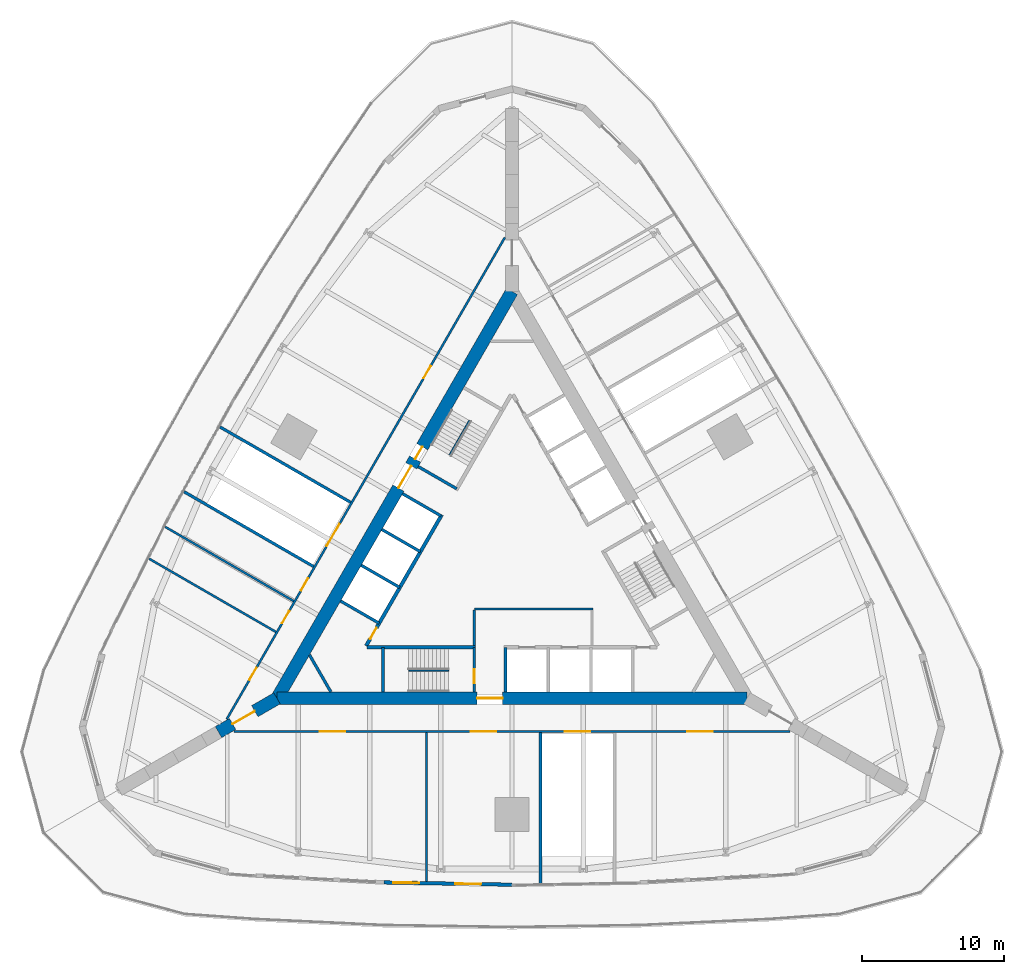
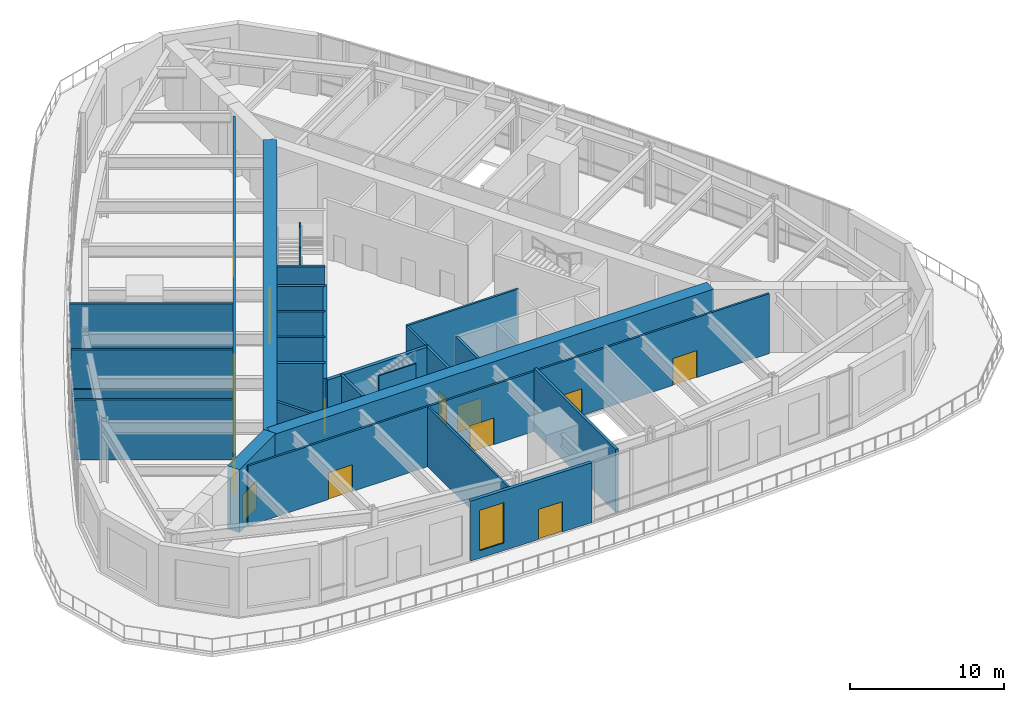
# One storey, part 8 of 13: 27 walls, 16 doors, 1 window, 17 openings.
"""IFC4 building model written with IfcOpenShell, lengths in metres."""

from ifc_helpers import new_model, si_unit, direction, frame, frame_2d, origin, place, context, subcontext, project, spatial, rectangle, extrude, material, layer, layer_set, type_object, element, fill, save


model = new_model("IFC4")

# Units and contexts
model_context = context("Model", 3, precision=1e-05, world=origin(), true_north=direction((0.0, 1.0)))
body_context = subcontext(model_context, "Body", "Model", "MODEL_VIEW")
ifc_project = project(units=[si_unit("LENGTHUNIT", "METRE"), si_unit("AREAUNIT", "SQUARE_METRE"), si_unit("VOLUMEUNIT", "CUBIC_METRE"), si_unit("PLANEANGLEUNIT", "RADIAN"), si_unit("MASSUNIT", "GRAM", prefix="KILO")], contexts=[model_context])

# Site, building, storey
site_placement = place(None, origin())
site = spatial("IfcSite", under=ifc_project, at=site_placement, CompositionType="ELEMENT")
building_placement = place(site_placement, origin())
building = spatial("IfcBuilding", under=site, at=building_placement, Name="Trikona Tower", CompositionType="ELEMENT")
storey_placement = place(building_placement, frame((0.0, 0.0, 17.5)))
storey = spatial("IfcBuildingStorey", under=building, at=storey_placement, Name="L03", CompositionType="ELEMENT", Elevation=17.5)

# Wall, opening, door
ifc_material_1 = material(Name="Concrete f'c 10000 psi", Category="concrete")
ifc_layer_1 = layer(ifc_material_1, 0.89990234375)
ifc_layer_set_1 = layer_set([ifc_layer_1], Name="Buttress wall 900")
wall_type_1 = type_object("IfcWallType", Name="Buttress wall 900", PredefinedType="SHEAR", material=ifc_layer_set_1)
wall_1_placement = place(storey_placement, frame((-16.5, -9.5263671875, 0.0), z_axis=(0.0, 0.0, 1.0), x_axis=(-0.866031398331, -0.499989616998, 0.0)))
wall_1 = element("IfcWall", 1, at=wall_1_placement, inside=storey, type_object=wall_type_1, Name="Buttress wall 3", PredefinedType="SHEAR", context=body_context, shape_type="SweptSolid", body=[
    extrude(rectangle(XDim=4.74609375, YDim=0.89990234375, at=frame_2d((2.373046875, 0.0))), origin(), (0.0, 0.0, 1.0), 5.0),
])
opening_1_placement = place(wall_1_placement, frame((1.800048828125, 0.0, 0.0)))
opening_1 = element("IfcOpeningElement", 2, at=opening_1_placement, cuts=wall_1, Name="Opening D10", PredefinedType="OPENING", context=body_context, shape_type="SweptSolid", body=[
    extrude(rectangle(XDim=1.800048828125, YDim=2.1298828125, at=frame_2d((0.89990234375, 1.06494140625))), frame((0.0, 0.4599609375, 0.0), z_axis=(0.0, -1.0, 0.0), x_axis=(1.0, 0.0, 0.0)), (0.0, 0.0, 1.0), 0.919921875),
])
ifc_material_2 = material(Name="Hollow metal door and frame", Category="steel")
door_type_1 = type_object("IfcDoorType", Name="Cross-corridor door pair 1800x2130", OperationType="DOUBLE_DOOR_DOUBLE_SWING", PredefinedType="DOOR", material=ifc_material_2)
door_1_placement = place(opening_1_placement, origin())
door_1 = element("IfcDoor", 3, at=door_1_placement, inside=storey, type_object=door_type_1, Name="Cross-corridor door 3", OperationType="DOUBLE_DOOR_DOUBLE_SWING", OverallHeight=2.1298828125, OverallWidth=1.800048828125, PredefinedType="DOOR", context=body_context, shape_type="SweptSolid", body=[
    extrude(rectangle(XDim=1.800048828125, YDim=2.1298828125, at=frame_2d((0.89990234375, 1.06494140625))), frame((0.0, 0.02490234375, 0.0), z_axis=(0.0, -1.0, 0.0), x_axis=(1.0, 0.0, 0.0)), (0.0, 0.0, 1.0), 0.050048828125),
])
fill(opening_1, door_1)

ifc_material_3 = material(Name="Concrete f'c 10000 psi", Category="concrete")
ifc_layer_2 = layer(ifc_material_3, 0.89990234375)
ifc_layer_set_2 = layer_set([ifc_layer_2], Name="Core wall 900")
wall_type_2 = type_object("IfcWallType", Name="Core wall 900", PredefinedType="SHEAR", material=ifc_layer_set_2)
wall_2_placement = place(storey_placement, frame((-16.5, -9.5263671875, 0.0), z_axis=(0.0, 0.0, 1.0), x_axis=(1.0, 0.0, 0.0)))
wall_2 = element("IfcWall", 4, at=wall_2_placement, inside=storey, type_object=wall_type_2, Name="Core wall A", PredefinedType="SHEAR", context=body_context, shape_type="SweptSolid", body=[
    extrude(rectangle(XDim=33.0, YDim=0.89990234375, at=frame_2d((16.5, 0.0))), origin(), (0.0, 0.0, 1.0), 5.0),
])
opening_2_placement = place(wall_2_placement, frame((14.050048828125, 0.0, 0.0)))
opening_2 = element("IfcOpeningElement", 5, at=opening_2_placement, cuts=wall_2, Name="Opening D6", PredefinedType="OPENING", context=body_context, shape_type="SweptSolid", body=[
    extrude(rectangle(XDim=1.800048828125, YDim=2.1298828125, at=frame_2d((0.89990234375, 1.06494140625))), frame((0.0, 0.4599609375, 0.0), z_axis=(0.0, -1.0, 0.0), x_axis=(1.0, 0.0, 0.0)), (0.0, 0.0, 1.0), 0.919921875),
])
ifc_material_4 = material(Name="Hollow metal door and frame", Category="steel")
door_type_2 = type_object("IfcDoorType", Name="Lobby door pair 1800x2130", OperationType="DOUBLE_DOOR_SINGLE_SWING", PredefinedType="DOOR", material=ifc_material_4)
door_2_placement = place(opening_2_placement, origin())
door_2 = element("IfcDoor", 6, at=door_2_placement, inside=storey, type_object=door_type_2, Name="Fire service lift lobby door", OperationType="DOUBLE_DOOR_SINGLE_SWING", OverallHeight=2.1298828125, OverallWidth=1.800048828125, PredefinedType="DOOR", context=body_context, shape_type="SweptSolid", body=[
    extrude(rectangle(XDim=1.800048828125, YDim=2.1298828125, at=frame_2d((0.89990234375, 1.06494140625))), frame((0.0, 0.02490234375, 0.0), z_axis=(0.0, -1.0, 0.0), x_axis=(1.0, 0.0, 0.0)), (0.0, 0.0, 1.0), 0.050048828125),
])
fill(opening_2, door_2)

# Wall, openings, doors
wall_3_placement = place(storey_placement, frame((0.0, 19.052490234375, 0.0), z_axis=(0.0, 0.0, 1.0), x_axis=(-0.499999749417, -0.866025548458, 0.0)))
wall_3 = element("IfcWall", 7, at=wall_3_placement, inside=storey, type_object=wall_type_2, Name="Core wall C", PredefinedType="SHEAR", context=body_context, shape_type="SweptSolid", body=[
    extrude(rectangle(XDim=33.0, YDim=0.89990234375, at=frame_2d((16.5, 0.0))), origin(), (0.0, 0.0, 1.0), 5.0),
])
opening_3_placement = place(wall_3_placement, frame((14.14990234375, 0.0, 0.0)))
opening_3 = element("IfcOpeningElement", 8, at=opening_3_placement, cuts=wall_3, Name="Opening D6", PredefinedType="OPENING", context=body_context, shape_type="SweptSolid", body=[
    extrude(rectangle(XDim=1.800048828125, YDim=2.1298828125, at=frame_2d((0.89990234375, 1.06494140625))), frame((0.0, 0.4599609375, 0.0), z_axis=(0.0, -1.0, 0.0), x_axis=(1.0, 0.0, 0.0)), (0.0, 0.0, 1.0), 0.919921875),
])
opening_4_placement = place(wall_3_placement, frame((12.60009765625, 0.0, 0.0)))
opening_4 = element("IfcOpeningElement", 9, at=opening_4_placement, cuts=wall_3, Name="Opening D5", PredefinedType="OPENING", context=body_context, shape_type="SweptSolid", body=[
    extrude(rectangle(XDim=1.0, YDim=2.1298828125, at=frame_2d((0.5, 1.06494140625))), frame((0.0, 0.4599609375, 0.0), z_axis=(0.0, -1.0, 0.0), x_axis=(1.0, 0.0, 0.0)), (0.0, 0.0, 1.0), 0.919921875),
])
door_3_placement = place(opening_3_placement, origin())
door_3 = element("IfcDoor", 10, at=door_3_placement, inside=storey, type_object=door_type_2, Name="Lift lobby door C", OperationType="DOUBLE_DOOR_SINGLE_SWING", OverallHeight=2.1298828125, OverallWidth=1.800048828125, PredefinedType="DOOR", context=body_context, shape_type="SweptSolid", body=[
    extrude(rectangle(XDim=1.800048828125, YDim=2.1298828125, at=frame_2d((0.89990234375, 1.06494140625))), frame((0.0, 0.02490234375, 0.0), z_axis=(0.0, -1.0, 0.0), x_axis=(1.0, 0.0, 0.0)), (0.0, 0.0, 1.0), 0.050048828125),
])
fill(opening_3, door_3)
ifc_material_5 = material(Name="Hollow metal door and frame", Category="steel")
door_type_3 = type_object("IfcDoorType", Name="Stair door 1000x2130", OperationType="SINGLE_SWING_LEFT", PredefinedType="DOOR", material=ifc_material_5)
door_4_placement = place(opening_4_placement, origin())
door_4 = element("IfcDoor", 11, at=door_4_placement, inside=storey, type_object=door_type_3, Name="Stair C door", OperationType="SINGLE_SWING_RIGHT", OverallHeight=2.1298828125, OverallWidth=1.0, PredefinedType="DOOR", context=body_context, shape_type="SweptSolid", body=[
    extrude(rectangle(XDim=1.0, YDim=2.1298828125, at=frame_2d((0.5, 1.06494140625))), frame((0.0, 0.02490234375, 0.0), z_axis=(0.0, -1.0, 0.0), x_axis=(1.0, 0.0, 0.0)), (0.0, 0.0, 1.0), 0.050048828125),
])
fill(opening_4, door_4)

ifc_material_6 = material(Name="Metal stud and gypsum board, 1-hour", Category="gypsum")
ifc_layer_3 = layer(ifc_material_6, 0.14990234375)
ifc_layer_set_3 = layer_set([ifc_layer_3], Name="Corridor wall 150")
wall_type_3 = type_object("IfcWallType", Name="Corridor wall 150", PredefinedType="PARTITIONING", material=ifc_layer_set_3)
wall_4_placement = place(storey_placement, frame((-19.527099609375, -11.851318359375, 0.0), z_axis=(0.0, 0.0, 1.0), x_axis=(1.0, 0.0, 0.0)))
wall_4 = element("IfcWall", 12, at=wall_4_placement, inside=storey, type_object=wall_type_3, Name="Corridor wall L03-1", PredefinedType="PARTITIONING", context=body_context, shape_type="SweptSolid", body=[
    extrude(rectangle(XDim=39.05419921875, YDim=0.14990234375, at=frame_2d((19.527099609375, 0.0))), origin(), (0.0, 0.0, 1.0), 4.75),
])
opening_5_placement = place(wall_4_placement, frame((6.013427734375, 0.0, 0.0)))
opening_5 = element("IfcOpeningElement", 13, at=opening_5_placement, cuts=wall_4, Name="Opening D4", PredefinedType="OPENING", context=body_context, shape_type="SweptSolid", body=[
    extrude(rectangle(XDim=1.800048828125, YDim=2.1298828125, at=frame_2d((0.89990234375, 1.06494140625))), frame((0.0, 0.0849609375, 0.0), z_axis=(0.0, -1.0, 0.0), x_axis=(1.0, 0.0, 0.0)), (0.0, 0.0, 1.0), 0.169921875),
])
opening_6_placement = place(wall_4_placement, frame((16.626953125, 0.0, 0.0)))
opening_6 = element("IfcOpeningElement", 14, at=opening_6_placement, cuts=wall_4, Name="Opening D4", PredefinedType="OPENING", context=body_context, shape_type="SweptSolid", body=[
    extrude(rectangle(XDim=1.800048828125, YDim=2.1298828125, at=frame_2d((0.89990234375, 1.06494140625))), frame((0.0, 0.0849609375, 0.0), z_axis=(0.0, -1.0, 0.0), x_axis=(1.0, 0.0, 0.0)), (0.0, 0.0, 1.0), 0.169921875),
])
opening_7_placement = place(wall_4_placement, frame((23.22705078125, 0.0, 0.0)))
opening_7 = element("IfcOpeningElement", 15, at=opening_7_placement, cuts=wall_4, Name="Opening D11", PredefinedType="OPENING", context=body_context, shape_type="SweptSolid", body=[
    extrude(rectangle(XDim=1.800048828125, YDim=2.1298828125, at=frame_2d((0.89990234375, 1.06494140625))), frame((0.0, 0.0849609375, 0.0), z_axis=(0.0, -1.0, 0.0), x_axis=(1.0, 0.0, 0.0)), (0.0, 0.0, 1.0), 0.169921875),
])
opening_8_placement = place(wall_4_placement, frame((31.840576171875, 0.0, 0.0)))
opening_8 = element("IfcOpeningElement", 16, at=opening_8_placement, cuts=wall_4, Name="Opening D4", PredefinedType="OPENING", context=body_context, shape_type="SweptSolid", body=[
    extrude(rectangle(XDim=1.800048828125, YDim=2.1298828125, at=frame_2d((0.89990234375, 1.06494140625))), frame((0.0, 0.0849609375, 0.0), z_axis=(0.0, -1.0, 0.0), x_axis=(1.0, 0.0, 0.0)), (0.0, 0.0, 1.0), 0.169921875),
])
ifc_material_7 = material(Name="Steel door frame with solid-core timber leaf", Category="steel")
door_type_4 = type_object("IfcDoorType", Name="Assembly door pair 1800x2130", OperationType="DOUBLE_DOOR_SINGLE_SWING", PredefinedType="DOOR", material=ifc_material_7)
door_5_placement = place(opening_5_placement, origin())
door_5 = element("IfcDoor", 17, at=door_5_placement, inside=storey, type_object=door_type_4, Name="Door Meeting room 1", OperationType="DOUBLE_DOOR_SINGLE_SWING", OverallHeight=2.1298828125, OverallWidth=1.800048828125, PredefinedType="DOOR", context=body_context, shape_type="SweptSolid", body=[
    extrude(rectangle(XDim=1.800048828125, YDim=2.1298828125, at=frame_2d((0.89990234375, 1.06494140625))), frame((0.0, 0.02490234375, 0.0), z_axis=(0.0, -1.0, 0.0), x_axis=(1.0, 0.0, 0.0)), (0.0, 0.0, 1.0), 0.050048828125),
])
fill(opening_5, door_5)
door_6_placement = place(opening_6_placement, origin())
door_6 = element("IfcDoor", 18, at=door_6_placement, inside=storey, type_object=door_type_4, Name="Door Meeting room 2", OperationType="DOUBLE_DOOR_SINGLE_SWING", OverallHeight=2.1298828125, OverallWidth=1.800048828125, PredefinedType="DOOR", context=body_context, shape_type="SweptSolid", body=[
    extrude(rectangle(XDim=1.800048828125, YDim=2.1298828125, at=frame_2d((0.89990234375, 1.06494140625))), frame((0.0, 0.02490234375, 0.0), z_axis=(0.0, -1.0, 0.0), x_axis=(1.0, 0.0, 0.0)), (0.0, 0.0, 1.0), 0.050048828125),
])
fill(opening_6, door_6)
door_7_placement = place(opening_8_placement, origin())
door_7 = element("IfcDoor", 19, at=door_7_placement, inside=storey, type_object=door_type_4, Name="Door Meeting room 3", OperationType="DOUBLE_DOOR_SINGLE_SWING", OverallHeight=2.1298828125, OverallWidth=1.800048828125, PredefinedType="DOOR", context=body_context, shape_type="SweptSolid", body=[
    extrude(rectangle(XDim=1.800048828125, YDim=2.1298828125, at=frame_2d((0.89990234375, 1.06494140625))), frame((0.0, 0.02490234375, 0.0), z_axis=(0.0, -1.0, 0.0), x_axis=(1.0, 0.0, 0.0)), (0.0, 0.0, 1.0), 0.050048828125),
])
fill(opening_8, door_7)
ifc_material_8 = material(Name="Hollow metal door and frame", Category="steel")
door_type_5 = type_object("IfcDoorType", Name="Podium stair door 1800x2130", OperationType="DOUBLE_DOOR_SINGLE_SWING", PredefinedType="DOOR", material=ifc_material_8)
door_8_placement = place(opening_7_placement, origin())
door_8 = element("IfcDoor", 20, at=door_8_placement, inside=storey, type_object=door_type_5, Name="Stair door Podium stair PS1", OperationType="DOUBLE_DOOR_SINGLE_SWING", OverallHeight=2.1298828125, OverallWidth=1.800048828125, PredefinedType="DOOR", context=body_context, shape_type="SweptSolid", body=[
    extrude(rectangle(XDim=1.800048828125, YDim=2.1298828125, at=frame_2d((0.89990234375, 1.06494140625))), frame((0.0, 0.02490234375, 0.0), z_axis=(0.0, -1.0, 0.0), x_axis=(1.0, 0.0, 0.0)), (0.0, 0.0, 1.0), 0.050048828125),
])
fill(opening_7, door_8)

wall_5_placement = place(storey_placement, frame((-0.5, 22.83642578125, 0.0), z_axis=(0.0, 0.0, 1.0), x_axis=(-0.500001677587, -0.866024435227, 0.0)))
wall_5 = element("IfcWall", 21, at=wall_5_placement, inside=storey, type_object=wall_type_3, Name="Corridor wall L03-3", PredefinedType="PARTITIONING", context=body_context, shape_type="SweptSolid", body=[
    extrude(rectangle(XDim=39.053955078125, YDim=0.14990234375, at=frame_2d((19.52685546875, 0.0))), origin(), (0.0, 0.0, 1.0), 4.75),
])
opening_9_placement = place(wall_5_placement, frame((10.41357421875, 0.0, 0.0)))
opening_9 = element("IfcOpeningElement", 22, at=opening_9_placement, cuts=wall_5, Name="Opening D3", PredefinedType="OPENING", context=body_context, shape_type="SweptSolid", body=[
    extrude(rectangle(XDim=1.0, YDim=2.1298828125, at=frame_2d((0.5, 1.06494140625))), frame((0.0, 0.0849609375, 0.0), z_axis=(0.0, -1.0, 0.0), x_axis=(1.0, 0.0, 0.0)), (0.0, 0.0, 1.0), 0.169921875),
])
opening_10_placement = place(wall_5_placement, frame((23.22705078125, 0.0, 0.0)))
opening_10 = element("IfcOpeningElement", 23, at=opening_10_placement, cuts=wall_5, Name="Opening D11", PredefinedType="OPENING", context=body_context, shape_type="SweptSolid", body=[
    extrude(rectangle(XDim=1.800048828125, YDim=2.1298828125, at=frame_2d((0.89990234375, 1.06494140625))), frame((0.0, 0.0849609375, 0.0), z_axis=(0.0, -1.0, 0.0), x_axis=(1.0, 0.0, 0.0)), (0.0, 0.0, 1.0), 0.169921875),
])
opening_11_placement = place(wall_5_placement, frame((27.626953125, 0.0, 0.0)))
opening_11 = element("IfcOpeningElement", 24, at=opening_11_placement, cuts=wall_5, Name="Opening D3", PredefinedType="OPENING", context=body_context, shape_type="SweptSolid", body=[
    extrude(rectangle(XDim=1.0, YDim=2.1298828125, at=frame_2d((0.5, 1.06494140625))), frame((0.0, 0.0849609375, 0.0), z_axis=(0.0, -1.0, 0.0), x_axis=(1.0, 0.0, 0.0)), (0.0, 0.0, 1.0), 0.169921875),
])
opening_12_placement = place(wall_5_placement, frame((30.277099609375, 0.0, 0.0)))
opening_12 = element("IfcOpeningElement", 25, at=opening_12_placement, cuts=wall_5, Name="Opening D3", PredefinedType="OPENING", context=body_context, shape_type="SweptSolid", body=[
    extrude(rectangle(XDim=1.0, YDim=2.1298828125, at=frame_2d((0.5, 1.06494140625))), frame((0.0, 0.0849609375, 0.0), z_axis=(0.0, -1.0, 0.0), x_axis=(1.0, 0.0, 0.0)), (0.0, 0.0, 1.0), 0.169921875),
])
opening_13_placement = place(wall_5_placement, frame((34.890380859375, 0.0, 0.0)))
opening_13 = element("IfcOpeningElement", 26, at=opening_13_placement, cuts=wall_5, Name="Opening D3", PredefinedType="OPENING", context=body_context, shape_type="SweptSolid", body=[
    extrude(rectangle(XDim=1.0, YDim=2.1298828125, at=frame_2d((0.5, 1.06494140625))), frame((0.0, 0.0849609375, 0.0), z_axis=(0.0, -1.0, 0.0), x_axis=(1.0, 0.0, 0.0)), (0.0, 0.0, 1.0), 0.169921875),
])
door_9_placement = place(opening_10_placement, origin())
door_9 = element("IfcDoor", 27, at=door_9_placement, inside=storey, type_object=door_type_5, Name="Stair door Podium stair PS3", OperationType="DOUBLE_DOOR_SINGLE_SWING", OverallHeight=2.1298828125, OverallWidth=1.800048828125, PredefinedType="DOOR", context=body_context, shape_type="SweptSolid", body=[
    extrude(rectangle(XDim=1.800048828125, YDim=2.1298828125, at=frame_2d((0.89990234375, 1.06494140625))), frame((0.0, 0.02490234375, 0.0), z_axis=(0.0, -1.0, 0.0), x_axis=(1.0, 0.0, 0.0)), (0.0, 0.0, 1.0), 0.050048828125),
])
fill(opening_10, door_9)
ifc_material_9 = material(Name="Steel door frame with solid-core timber leaf", Category="steel")
door_type_6 = type_object("IfcDoorType", Name="Room door 1000x2130", OperationType="SINGLE_SWING_LEFT", PredefinedType="DOOR", material=ifc_material_9)
door_10_placement = place(opening_9_placement, origin())
door_10 = element("IfcDoor", 28, at=door_10_placement, inside=storey, type_object=door_type_6, Name="Door Business centre", OperationType="SINGLE_SWING_LEFT", OverallHeight=2.1298828125, OverallWidth=1.0, PredefinedType="DOOR", context=body_context, shape_type="SweptSolid", body=[
    extrude(rectangle(XDim=1.0, YDim=2.1298828125, at=frame_2d((0.5, 1.06494140625))), frame((0.0, 0.02490234375, 0.0), z_axis=(0.0, -1.0, 0.0), x_axis=(1.0, 0.0, 0.0)), (0.0, 0.0, 1.0), 0.050048828125),
])
fill(opening_9, door_10)
door_11_placement = place(opening_11_placement, origin())
door_11 = element("IfcDoor", 29, at=door_11_placement, inside=storey, type_object=door_type_6, Name="Door Staff toilets", OperationType="SINGLE_SWING_RIGHT", OverallHeight=2.1298828125, OverallWidth=1.0, PredefinedType="DOOR", context=body_context, shape_type="SweptSolid", body=[
    extrude(rectangle(XDim=1.0, YDim=2.1298828125, at=frame_2d((0.5, 1.06494140625))), frame((0.0, 0.02490234375, 0.0), z_axis=(0.0, -1.0, 0.0), x_axis=(1.0, 0.0, 0.0)), (0.0, 0.0, 1.0), 0.050048828125),
])
fill(opening_11, door_11)
door_12_placement = place(opening_12_placement, origin())
door_12 = element("IfcDoor", 30, at=door_12_placement, inside=storey, type_object=door_type_6, Name="Door Staff accessible WC", OperationType="SINGLE_SWING_LEFT", OverallHeight=2.1298828125, OverallWidth=1.0, PredefinedType="DOOR", context=body_context, shape_type="SweptSolid", body=[
    extrude(rectangle(XDim=1.0, YDim=2.1298828125, at=frame_2d((0.5, 1.06494140625))), frame((0.0, 0.02490234375, 0.0), z_axis=(0.0, -1.0, 0.0), x_axis=(1.0, 0.0, 0.0)), (0.0, 0.0, 1.0), 0.050048828125),
])
fill(opening_12, door_12)
door_13_placement = place(opening_13_placement, origin())
door_13 = element("IfcDoor", 31, at=door_13_placement, inside=storey, type_object=door_type_6, Name="Door Meeting store", OperationType="SINGLE_SWING_RIGHT", OverallHeight=2.1298828125, OverallWidth=1.0, PredefinedType="DOOR", context=body_context, shape_type="SweptSolid", body=[
    extrude(rectangle(XDim=1.0, YDim=2.1298828125, at=frame_2d((0.5, 1.06494140625))), frame((0.0, 0.02490234375, 0.0), z_axis=(0.0, -1.0, 0.0), x_axis=(1.0, 0.0, 0.0)), (0.0, 0.0, 1.0), 0.050048828125),
])
fill(opening_13, door_13)

# Wall
ifc_material_10 = material(Name="Concrete f'c 8000 psi", Category="concrete")
ifc_layer_4 = layer(ifc_material_10, 0.25)
ifc_layer_set_4 = layer_set([ifc_layer_4], Name="Hub wall 250")
wall_type_4 = type_object("IfcWallType", Name="Hub wall 250", PredefinedType="SOLIDWALL", material=ifc_layer_set_4)
wall_6_placement = place(storey_placement, frame((-10.182861328125, -5.951416015625, 0.0), z_axis=(0.0, 0.0, 1.0), x_axis=(1.0, 0.0, 0.0)))
element("IfcWall", 32, at=wall_6_placement, inside=storey, type_object=wall_type_4, Name="Lift lobby wall A1", PredefinedType="SOLIDWALL", context=body_context, shape_type="SweptSolid", body=[
    extrude(rectangle(XDim=7.6328125, YDim=0.25, at=frame_2d((3.81640625, 0.0))), origin(), (0.0, 0.0, 1.0), 4.75),
])

# Wall, opening, door
wall_7_placement = place(storey_placement, frame((-4.928955078125, 3.365478515625, 0.0), z_axis=(0.0, 0.0, 1.0), x_axis=(-0.499991433582, -0.866030349552, 0.0)))
wall_7 = element("IfcWall", 33, at=wall_7_placement, inside=storey, type_object=wall_type_4, Name="Lift lobby wall C2", PredefinedType="SOLIDWALL", context=body_context, shape_type="SweptSolid", body=[
    extrude(rectangle(XDim=10.633056640625, YDim=0.25, at=frame_2d((5.31640625, 0.0))), origin(), (0.0, 0.0, 1.0), 4.75),
])
opening_14_placement = place(wall_7_placement, frame((9.1640625, 0.0, 0.0)))
opening_14 = element("IfcOpeningElement", 34, at=opening_14_placement, cuts=wall_7, Name="Opening D14", PredefinedType="OPENING", context=body_context, shape_type="SweptSolid", body=[
    extrude(rectangle(XDim=0.89990234375, YDim=2.1298828125, at=frame_2d((0.449951171875, 1.06494140625))), frame((0.0, 0.135009765625, 0.0), z_axis=(0.0, -1.0, 0.0), x_axis=(1.0, 0.0, 0.0)), (0.0, 0.0, 1.0), 0.27001953125),
])
ifc_material_11 = material(Name="Hollow metal door and frame", Category="steel")
door_type_7 = type_object("IfcDoorType", Name="Service room door 900x2130", OperationType="SINGLE_SWING_LEFT", PredefinedType="DOOR", material=ifc_material_11)
door_14_placement = place(opening_14_placement, origin())
door_14 = element("IfcDoor", 35, at=door_14_placement, inside=storey, type_object=door_type_7, Name="Door Store STR", OperationType="SINGLE_SWING_RIGHT", OverallHeight=2.1298828125, OverallWidth=0.89990234375, PredefinedType="DOOR", context=body_context, shape_type="SweptSolid", body=[
    extrude(rectangle(XDim=0.89990234375, YDim=2.1298828125, at=frame_2d((0.449951171875, 1.06494140625))), frame((0.0, 0.02490234375, 0.0), z_axis=(0.0, -1.0, 0.0), x_axis=(1.0, 0.0, 0.0)), (0.0, 0.0, 1.0), 0.050048828125),
])
fill(opening_14, door_14)

# Wall, openings, door, window
ifc_material_12 = material(Name="Insulated precast concrete spandrel panel", Category="concrete")
ifc_layer_5 = layer(ifc_material_12, 0.25)
ifc_layer_set_5 = layer_set([ifc_layer_5], Name="Inner skin wall 250")
wall_type_5 = type_object("IfcWallType", Name="Inner skin wall 250", PredefinedType="STANDARD", material=ifc_layer_set_5)
wall_8_placement = place(storey_placement, frame((-8.997802734375, -22.452392578125, 0.0), z_axis=(0.0, 0.0, 1.0), x_axis=(0.999838308644, -0.017982118018, 0.0)))
wall_8 = element("IfcWall", 36, at=wall_8_placement, inside=storey, type_object=wall_type_5, Name="External wall L03-02", PredefinedType="STANDARD", context=body_context, shape_type="SweptSolid", body=[
    extrude(rectangle(XDim=9.00146484375, YDim=0.25, at=frame_2d((4.500732421875, 0.0))), origin(), (0.0, 0.0, 1.0), 4.75),
])
opening_15_placement = place(wall_8_placement, frame((0.671142578125, 0.0, 0.60009765625)))
opening_15 = element("IfcOpeningElement", 37, at=opening_15_placement, cuts=wall_8, Name="Opening W1832", PredefinedType="OPENING", context=body_context, shape_type="SweptSolid", body=[
    extrude(rectangle(XDim=1.800048828125, YDim=3.199951171875, at=frame_2d((0.89990234375, 1.60009765625))), frame((0.0, 0.135009765625, 0.0), z_axis=(0.0, -1.0, 0.0), x_axis=(1.0, 0.0, 0.0)), (0.0, 0.0, 1.0), 0.27001953125),
])
opening_16_placement = place(wall_8_placement, frame((5.02197265625, 0.0, 0.0)))
opening_16 = element("IfcOpeningElement", 38, at=opening_16_placement, cuts=wall_8, Name="Opening D8", PredefinedType="OPENING", context=body_context, shape_type="SweptSolid", body=[
    extrude(rectangle(XDim=1.800048828125, YDim=2.39990234375, at=frame_2d((0.89990234375, 1.199951171875))), frame((0.0, 0.135009765625, 0.0), z_axis=(0.0, -1.0, 0.0), x_axis=(1.0, 0.0, 0.0)), (0.0, 0.0, 1.0), 0.27001953125),
])
ifc_material_13 = material(Name="Aluminium-framed glazed door", Category="aluminium")
door_type_8 = type_object("IfcDoorType", Name="Terrace door pair 1800x2400", OperationType="DOUBLE_DOOR_SINGLE_SWING", PredefinedType="DOOR", material=ifc_material_13)
door_15_placement = place(opening_16_placement, origin())
door_15 = element("IfcDoor", 39, at=door_15_placement, inside=storey, type_object=door_type_8, Name="Terrace door Meeting room 2", OperationType="DOUBLE_DOOR_SINGLE_SWING", OverallHeight=2.39990234375, OverallWidth=1.800048828125, PredefinedType="DOOR", context=body_context, shape_type="SweptSolid", body=[
    extrude(rectangle(XDim=1.800048828125, YDim=2.39990234375, at=frame_2d((0.89990234375, 1.199951171875))), frame((0.0, 0.02490234375, 0.0), z_axis=(0.0, -1.0, 0.0), x_axis=(1.0, 0.0, 0.0)), (0.0, 0.0, 1.0), 0.050048828125),
])
fill(opening_16, door_15)
ifc_material_14 = material(Name="Aluminium-framed double glazing", Category="aluminium")
window_type = type_object("IfcWindowType", Name="Window 1800x3200", PartitioningType="SINGLE_PANEL", PredefinedType="WINDOW", material=ifc_material_14)
window_placement = place(opening_15_placement, origin())
window = element("IfcWindow", 40, at=window_placement, inside=storey, type_object=window_type, Name="Window L03-MR1", OverallHeight=3.199951171875, OverallWidth=1.800048828125, PartitioningType="SINGLE_PANEL", PredefinedType="WINDOW", context=body_context, shape_type="SweptSolid", body=[
    extrude(rectangle(XDim=1.800048828125, YDim=3.199951171875, at=frame_2d((0.89990234375, 1.60009765625))), frame((0.0, 0.030029296875, 0.0), z_axis=(0.0, -1.0, 0.0), x_axis=(1.0, 0.0, 0.0)), (0.0, 0.0, 1.0), 0.06005859375),
])
fill(opening_15, window)

# Walls
ifc_material_15 = material(Name="Metal stud and gypsum board, 2-hour shaft wall", Category="gypsum")
ifc_layer_6 = layer(ifc_material_15, 0.14990234375)
ifc_layer_set_6 = layer_set([ifc_layer_6], Name="Lobby wall 150")
wall_type_6 = type_object("IfcWallType", Name="Lobby wall 150", PredefinedType="PARTITIONING", material=ifc_layer_set_6)
wall_9_placement = place(storey_placement, frame((-2.64990234375, -3.251220703125, 0.0), z_axis=(0.0, 0.0, 1.0), x_axis=(1.0, 0.0, 0.0)))
element("IfcWall", 41, at=wall_9_placement, inside=storey, type_object=wall_type_6, Name="Fire service lift lobby wall 1", PredefinedType="PARTITIONING", context=body_context, shape_type="SweptSolid", body=[
    extrude(rectangle(XDim=8.349853515625, YDim=0.14990234375, at=frame_2d((4.1748046875, 0.0))), origin(), (0.0, 0.0, 1.0), 4.75),
])
wall_10_placement = place(storey_placement, frame((-2.64990234375, -5.826416015625, 0.0), z_axis=(0.0, 0.0, 1.0), x_axis=(0.0, 1.0, 0.0)))
element("IfcWall", 42, at=wall_10_placement, inside=storey, type_object=wall_type_6, Name="Fire service lift lobby wall 2", PredefinedType="PARTITIONING", context=body_context, shape_type="SweptSolid", body=[
    extrude(rectangle(XDim=2.5, YDim=0.14990234375, at=frame_2d((1.25, 0.0))), origin(), (0.0, 0.0, 1.0), 4.75),
])
ifc_material_16 = material(Name="Metal stud and gypsum board, 1-hour acoustic", Category="gypsum")
ifc_layer_7 = layer(ifc_material_16, 0.14990234375)
ifc_layer_set_7 = layer_set([ifc_layer_7], Name="Party wall 150")
wall_type_7 = type_object("IfcWallType", Name="Party wall 150", PredefinedType="PARTITIONING", material=ifc_layer_set_7)
wall_11_placement = place(storey_placement, frame((-6.0, -11.92626953125, 0.0), z_axis=(0.0, 0.0, 1.0), x_axis=(0.0, -1.0, 0.0)))
element("IfcWall", 43, at=wall_11_placement, inside=storey, type_object=wall_type_7, Name="Partition L03 F1 u-6", PredefinedType="PARTITIONING", context=body_context, shape_type="SweptSolid", body=[
    extrude(rectangle(XDim=10.455078125, YDim=0.14990234375, at=frame_2d((5.2275390625, 0.0))), origin(), (0.0, 0.0, 1.0), 4.75),
])
wall_12_placement = place(storey_placement, frame((-15.32861328125, -2.697021484375, 0.0), z_axis=(0.0, 0.0, 1.0), x_axis=(-0.866025500669, 0.49999983219, 0.0)))
element("IfcWall", 44, at=wall_12_placement, inside=storey, type_object=wall_type_7, Name="Partition L03 F3 u10", PredefinedType="PARTITIONING", context=body_context, shape_type="SweptSolid", body=[
    extrude(rectangle(XDim=10.41259765625, YDim=0.14990234375, at=frame_2d((5.206298828125, 0.0))), origin(), (0.0, 0.0, 1.0), 3.8076171875),
])
wall_13_placement = place(storey_placement, frame((-16.57861328125, -4.8623046875, 0.0), z_axis=(0.0, 0.0, 1.0), x_axis=(-0.866019836563, 0.500009642587, 0.0)))
element("IfcWall", 45, at=wall_13_placement, inside=storey, type_object=wall_type_7, Name="Partition L03 F3 u12.5", PredefinedType="PARTITIONING", context=body_context, shape_type="SweptSolid", body=[
    extrude(rectangle(XDim=10.277587890625, YDim=0.14990234375, at=frame_2d((5.138671875, 0.0))), origin(), (0.0, 0.0, 1.0), 4.75),
])
ifc_material_17 = material(Name="Concrete f'c 8000 psi", Category="concrete")
ifc_layer_8 = layer(ifc_material_17, 0.199951171875)
ifc_layer_set_8 = layer_set([ifc_layer_8], Name="Shaft wall 200")
wall_type_8 = type_object("IfcWallType", Name="Shaft wall 200", PredefinedType="SOLIDWALL", material=ifc_layer_set_8)
for number, where, z_axis, x_axis, name in (
    (46, (-0.449951171875, -5.951416015625, 0.0), (0.0, 0.0, 1.0), (0.0, -1.0, 0.0), "Shaft wall A3"),
    (47, (-4.97900390625, 3.27880859375, 0.0), (0.0, 0.0, 1.0), (-0.866022959057, 0.500004234368, 0.0), "Shaft wall C3"),
    (48, (-6.428955078125, 0.767333984375, 0.0), (0.0, 0.0, 1.0), (-0.866022959057, 0.500004234368, 0.0), "Shaft wall C4"),
    (49, (-7.87890625, -1.744140625, 0.0), (0.0, 0.0, 1.0), (-0.866022959057, 0.500004234368, 0.0), "Shaft wall C5"),
    (50, (-9.3291015625, -4.255615234375, 0.0), (0.0, 0.0, 1.0), (-0.866022959057, 0.500004234368, 0.0), "Shaft wall C6"),
):
    element("IfcWall", number, at=place(storey_placement, frame(where, z_axis=z_axis, x_axis=x_axis)), inside=storey, type_object=wall_type_8, Name=name, PredefinedType="SOLIDWALL", context=body_context, shape_type="SweptSolid", body=[
        extrude(rectangle(XDim=3.125, YDim=0.199951171875, at=frame_2d((1.5625, 0.0))), origin(), (0.0, 0.0, 1.0), 4.75),
    ])
wall_14_placement = place(storey_placement, frame((-12.718505859375, -9.076416015625, 0.0), z_axis=(0.0, 0.0, 1.0), x_axis=(-0.499952404951, 0.866052881055, 0.0)))
element("IfcWall", 51, at=wall_14_placement, inside=storey, type_object=wall_type_8, Name="Riser wall L03-RS3", PredefinedType="SOLIDWALL", context=body_context, shape_type="SweptSolid", body=[
    extrude(rectangle(XDim=3.002197265625, YDim=0.199951171875, at=frame_2d((1.5009765625, 0.0))), origin(), (0.0, 0.0, 1.0), 4.75),
])
ifc_material_18 = material(Name="Concrete f'c 8000 psi", Category="concrete")
ifc_layer_9 = layer(ifc_material_18, 0.199951171875)
ifc_layer_set_9 = layer_set([ifc_layer_9], Name="Shaft wall 200 load-bearing")
wall_type_9 = type_object("IfcWallType", Name="Shaft wall 200 load-bearing", PredefinedType="SOLIDWALL", material=ifc_layer_set_9)
wall_15_placement = place(storey_placement, frame((-9.050048828125, -5.951416015625, 0.0), z_axis=(0.0, 0.0, 1.0), x_axis=(0.0, -1.0, 0.0)))
element("IfcWall", 52, at=wall_15_placement, inside=storey, type_object=wall_type_9, Name="Shaft wall A1", PredefinedType="SOLIDWALL", context=body_context, shape_type="SweptSolid", body=[
    extrude(rectangle(XDim=3.125, YDim=0.199951171875, at=frame_2d((1.5625, 0.0))), origin(), (0.0, 0.0, 1.0), 4.75),
])

# Wall, opening, door
wall_16_placement = place(storey_placement, frame((-2.64990234375, -5.951416015625, 0.0), z_axis=(0.0, 0.0, 1.0), x_axis=(0.0, -1.0, 0.0)))
wall_16 = element("IfcWall", 53, at=wall_16_placement, inside=storey, type_object=wall_type_9, Name="Shaft wall A2", PredefinedType="SOLIDWALL", context=body_context, shape_type="SweptSolid", body=[
    extrude(rectangle(XDim=3.125, YDim=0.199951171875, at=frame_2d((1.5625, 0.0))), origin(), (0.0, 0.0, 1.0), 4.75),
])
opening_17_placement = place(wall_16_placement, frame((1.52490234375, 0.0, 0.0)))
opening_17 = element("IfcOpeningElement", 54, at=opening_17_placement, cuts=wall_16, Name="Opening D5", PredefinedType="OPENING", context=body_context, shape_type="SweptSolid", body=[
    extrude(rectangle(XDim=1.0, YDim=2.1298828125, at=frame_2d((0.5, 1.06494140625))), frame((0.0, 0.10986328125, 0.0), z_axis=(0.0, -1.0, 0.0), x_axis=(1.0, 0.0, 0.0)), (0.0, 0.0, 1.0), 0.219970703125),
])
door_16_placement = place(opening_17_placement, origin())
door_16 = element("IfcDoor", 55, at=door_16_placement, inside=storey, type_object=door_type_3, Name="Stair A door", OperationType="SINGLE_SWING_RIGHT", OverallHeight=2.1298828125, OverallWidth=1.0, PredefinedType="DOOR", context=body_context, shape_type="SweptSolid", body=[
    extrude(rectangle(XDim=1.0, YDim=2.1298828125, at=frame_2d((0.5, 1.06494140625))), frame((0.0, 0.02490234375, 0.0), z_axis=(0.0, -1.0, 0.0), x_axis=(1.0, 0.0, 0.0)), (0.0, 0.0, 1.0), 0.050048828125),
])
fill(opening_17, door_16)

# Walls
wall_17_placement = place(storey_placement, frame((-3.87890625, 5.18408203125, 0.0), z_axis=(0.0, 0.0, 1.0), x_axis=(-0.866022959057, 0.500004234368, 0.0)))
element("IfcWall", 56, at=wall_17_placement, inside=storey, type_object=wall_type_9, Name="Shaft wall C2", PredefinedType="SOLIDWALL", context=body_context, shape_type="SweptSolid", body=[
    extrude(rectangle(XDim=3.125, YDim=0.199951171875, at=frame_2d((1.5625, 0.0))), origin(), (0.0, 0.0, 1.0), 4.75),
])
ifc_material_19 = material(Name="Concrete f'c 6000 psi", Category="concrete")
ifc_layer_10 = layer(ifc_material_19, 0.199951171875)
ifc_layer_set_10 = layer_set([ifc_layer_10], Name="Stair enclosure wall 200")
wall_type_10 = type_object("IfcWallType", Name="Stair enclosure wall 200", PredefinedType="SHEAR", material=ifc_layer_set_10)
for number, where, z_axis, x_axis, name in (
    (57, (2.0, -11.92626953125, 0.0), (0.0, 0.0, 1.0), (0.0, -1.0, 0.0), "Stair enclosure L03 F1 u2"),
    (58, (-11.32861328125, 4.231201171875, 0.0), (0.0, 0.0, 1.0), (-0.866022509016, 0.500005013853, 0.0), "Stair enclosure L03 F3 u2"),
):
    element("IfcWall", number, at=place(storey_placement, frame(where, z_axis=z_axis, x_axis=x_axis)), inside=storey, type_object=wall_type_10, Name=name, PredefinedType="SHEAR", context=body_context, shape_type="SweptSolid", body=[
        extrude(rectangle(XDim=10.595703125, YDim=0.199951171875, at=frame_2d((5.2978515625, 0.0))), origin(), (0.0, 0.0, 1.0), 5.0),
    ])
wall_18_placement = place(storey_placement, frame((-13.928466796875, -0.272216796875, 0.0), z_axis=(0.0, 0.0, 1.0), x_axis=(-0.866031513124, 0.499989418164, 0.0)))
element("IfcWall", 59, at=wall_18_placement, inside=storey, type_object=wall_type_10, Name="Stair enclosure L03 F3 u7.2", PredefinedType="SHEAR", context=body_context, shape_type="SweptSolid", body=[
    extrude(rectangle(XDim=10.502197265625, YDim=0.199951171875, at=frame_2d((5.2509765625, 0.0))), origin(), (0.0, 0.0, 1.0), 5.0),
])
ifc_material_20 = material(Name="Concrete f'c 5000 psi", Category="concrete")
ifc_layer_11 = layer(ifc_material_20, 0.10009765625)
ifc_layer_set_11 = layer_set([ifc_layer_11], Name="Stair spine wall 100")
wall_type_11 = type_object("IfcWallType", Name="Stair spine wall 100", PredefinedType="SOLIDWALL", material=ifc_layer_set_11)
wall_19_placement = place(storey_placement, frame((-7.2470703125, -7.576416015625, 0.0), z_axis=(0.0, 0.0, 1.0), x_axis=(1.0, 0.0, 0.0)))
element("IfcWall", 60, at=wall_19_placement, inside=storey, type_object=wall_type_11, Name="Stair A spine wall L03", PredefinedType="SOLIDWALL", context=body_context, shape_type="SweptSolid", body=[
    extrude(rectangle(XDim=2.794189453125, YDim=0.10009765625, at=frame_2d((1.39697265625, 0.0))), origin(), (0.0, 0.0, 1.0), 5.0),
])
wall_20_placement = place(storey_placement, frame((-2.98779296875, 9.9775390625, 0.0), z_axis=(0.0, 0.0, 1.0), x_axis=(-0.499992232847, -0.866029888106, 0.0)))
element("IfcWall", 61, at=wall_20_placement, inside=storey, type_object=wall_type_11, Name="Stair C spine wall L03", PredefinedType="SOLIDWALL", context=body_context, shape_type="SweptSolid", body=[
    extrude(rectangle(XDim=2.7939453125, YDim=0.10009765625, at=frame_2d((1.39697265625, 0.0))), origin(), (0.0, 0.0, 1.0), 5.0),
])

save(model, "model.ifc")
